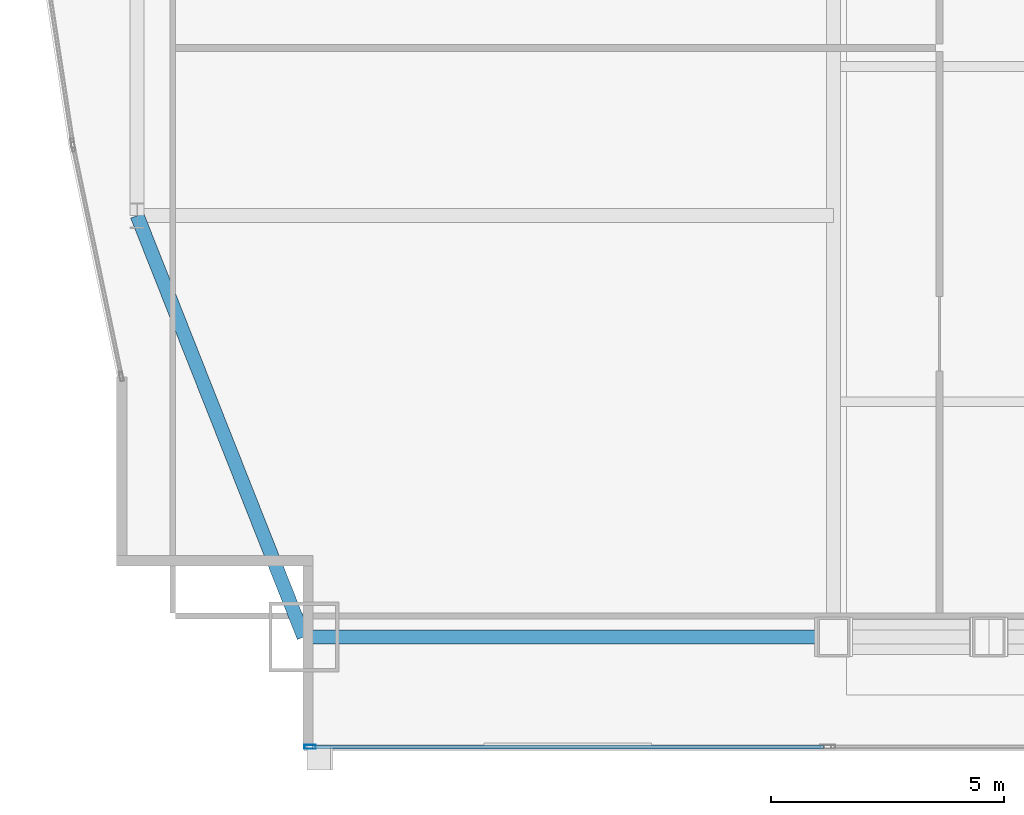
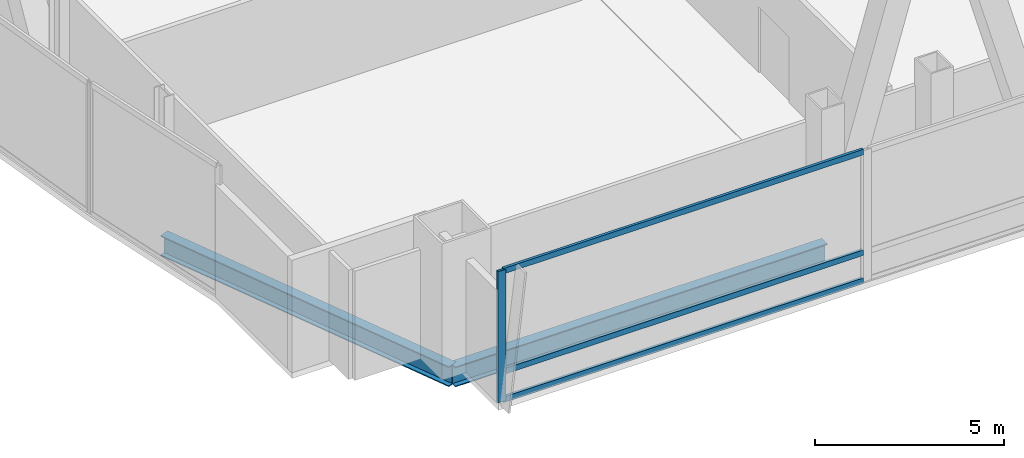
# One storey, part 5 of 32: 4 members, 2 beams, 1 element without a shape of its own.
"""IFC4 building model written with IfcOpenShell, lengths in metres."""

from ifc_helpers import new_model, si_unit, direction, frame, origin, origin_2d, place, context, subcontext, project, spatial, hollow_rectangle, i_section, extrude, material, material_profile, profile_set, type_object, element, aggregate, save


model = new_model("IFC4")

# Units and contexts
model_context = context("Model", 3, precision=1e-05, world=origin(), true_north=direction((0.0, 1.0)))
body_context = subcontext(model_context, "Body", "Model", "MODEL_VIEW")
ifc_project = project(units=[si_unit("LENGTHUNIT", "METRE"), si_unit("AREAUNIT", "SQUARE_METRE"), si_unit("VOLUMEUNIT", "CUBIC_METRE"), si_unit("PLANEANGLEUNIT", "RADIAN"), si_unit("MASSUNIT", "GRAM", prefix="KILO")], contexts=[model_context])

# Site, building, storey
site_placement = place(None, origin())
site = spatial("IfcSite", under=ifc_project, at=site_placement, CompositionType="ELEMENT")
building_placement = place(site_placement, origin())
building = spatial("IfcBuilding", under=site, at=building_placement, Name="Khoronbel Lancet Exchange", CompositionType="ELEMENT")
storey_placement = place(building_placement, frame((0.0, 0.0, 106.60009765625)))
storey = spatial("IfcBuildingStorey", under=building, at=storey_placement, Name="L25", CompositionType="ELEMENT", Elevation=106.60009765625)

# Beams
ifc_material_1 = material(Name="Steel S355", Category="steel")
ifc_material_profile_1 = material_profile(ifc_material_1, i_section(OverallWidth=0.300048828125, OverallDepth=0.64990234375, WebThickness=0.01611328125, FlangeThickness=0.031005859375, at=origin_2d()), Name="HEB 650")
ifc_profile_set_1 = profile_set([ifc_material_profile_1], Name="Steel S355")
beam_type = type_object("IfcBeamType", Name="BM-BSP1", PredefinedType="SPANDREL", material=ifc_profile_set_1)
beam_1_placement = place(storey_placement, frame((6.85009765625, 10.14990234375, -0.525146484375), z_axis=(1.0, 0.0, 0.0), x_axis=(0.0, 1.0, 0.0)))
element("IfcBeam", 1, at=beam_1_placement, inside=storey, type_object=beam_type, Name="Level L25 perimeter spandrel beam SP01", PredefinedType="SPANDREL", context=body_context, shape_type="SweptSolid", body=[
    extrude(i_section(OverallWidth=0.300048828125, OverallDepth=0.64990234375, WebThickness=0.01611328125, FlangeThickness=0.031005859375, at=origin_2d()), origin(), (0.0, 0.0, 1.0), 11.375),
])
beam_2_placement = place(storey_placement, frame((3.27001953125, 19.199951171875, -0.525146484375), z_axis=(0.367850095026, -0.92988510451, 0.0), x_axis=(0.92988510451, 0.367850095026, 0.0)))
element("IfcBeam", 2, at=beam_2_placement, inside=storey, type_object=beam_type, Name="Level L25 perimeter spandrel beam SP21", PredefinedType="SPANDREL", context=body_context, shape_type="SweptSolid", body=[
    extrude(i_section(OverallWidth=0.300048828125, OverallDepth=0.64990234375, WebThickness=0.01611328125, FlangeThickness=0.031005859375, at=origin_2d()), origin(), (0.0, 0.0, 1.0), 9.732421875),
])

# Curtain wall, members
ifc_material_2 = material(Name="Low-E Solar Control Insulating Glass", Category="glass")
curtain_wall_type = type_object("IfcCurtainWallType", Name="CW-2", PredefinedType="NOTDEFINED", material=ifc_material_2)
curtain_wall_placement = place(storey_placement, origin())
curtain_wall = element("IfcCurtainWall", 3, at=curtain_wall_placement, inside=storey, type_object=curtain_wall_type, Name="Unitised curtain wall CW-L25-SWV", PredefinedType="NOTDEFINED")
ifc_material_3 = material(Name="Bronze-Anodised Aluminium 6063-T6", Category="aluminium")
ifc_material_profile_2 = material_profile(ifc_material_3, hollow_rectangle(XDim=0.0849609375, YDim=0.239990234375, WallThickness=0.006103515625, at=origin_2d()), Name="ALU MULLION 85x240")
ifc_profile_set_2 = profile_set([ifc_material_profile_2], Name="Bronze-Anodised Aluminium 6063-T6")
member_type_1 = type_object("IfcMemberType", Name="MEM-CWM1", PredefinedType="MULLION", material=ifc_profile_set_2)
member_1_placement = place(storey_placement, frame((6.982421875, 7.7900390625, 0.0), z_axis=(0.0, 0.0, 1.0), x_axis=(0.0, 1.0, 0.0)))
member_1 = element("IfcMember", 4, at=member_1_placement, type_object=member_type_1, Name="CW2 mullion 1", PredefinedType="MULLION", context=body_context, shape_type="SweptSolid", body=[
    extrude(hollow_rectangle(XDim=0.0849609375, YDim=0.239990234375, WallThickness=0.006103515625, at=origin_2d()), origin(), (0.0, 0.0, 1.0), 4.239990234375),
])
ifc_material_profile_3 = material_profile(ifc_material_3, hollow_rectangle(XDim=0.0849609375, YDim=0.179931640625, WallThickness=0.0048828125, at=origin_2d()), Name="ALU TRANSOM 85x180")
ifc_profile_set_3 = profile_set([ifc_material_profile_3], Name="Bronze-Anodised Aluminium 6063-T6")
member_type_2 = type_object("IfcMemberType", Name="MEM-CWT1", PredefinedType="USERDEFINED", material=ifc_profile_set_3)
member_2_placement = place(storey_placement, frame((7.02490234375, 7.7900390625, 0.04248046875), z_axis=(1.0, 0.0, 0.0), x_axis=(0.0, 1.0, 0.0)))
member_2 = element("IfcMember", 5, at=member_2_placement, type_object=member_type_2, Name="CW2 transom 1.1", ObjectType="TRANSOM", PredefinedType="USERDEFINED", context=body_context, shape_type="SweptSolid", body=[
    extrude(hollow_rectangle(XDim=0.0849609375, YDim=0.179931640625, WallThickness=0.0048828125, at=origin_2d()), origin(), (0.0, 0.0, 1.0), 10.989990234375),
])
member_3_placement = place(storey_placement, frame((7.02490234375, 7.7900390625, 0.949951171875), z_axis=(1.0, 0.0, 0.0), x_axis=(0.0, 1.0, 0.0)))
member_3 = element("IfcMember", 6, at=member_3_placement, type_object=member_type_2, Name="CW2 transom 1.2", ObjectType="TRANSOM", PredefinedType="USERDEFINED", context=body_context, shape_type="SweptSolid", body=[
    extrude(hollow_rectangle(XDim=0.0849609375, YDim=0.179931640625, WallThickness=0.0048828125, at=origin_2d()), origin(), (0.0, 0.0, 1.0), 10.989990234375),
])
member_4_placement = place(storey_placement, frame((7.02490234375, 7.7900390625, 4.197509765625), z_axis=(1.0, 0.0, 0.0), x_axis=(0.0, 1.0, 0.0)))
member_4 = element("IfcMember", 7, at=member_4_placement, type_object=member_type_2, Name="CW2 transom 1.3", ObjectType="TRANSOM", PredefinedType="USERDEFINED", context=body_context, shape_type="SweptSolid", body=[
    extrude(hollow_rectangle(XDim=0.0849609375, YDim=0.179931640625, WallThickness=0.0048828125, at=origin_2d()), origin(), (0.0, 0.0, 1.0), 10.989990234375),
])
aggregate(curtain_wall, [member_1, member_2, member_3, member_4])

save(model, "model.ifc")
